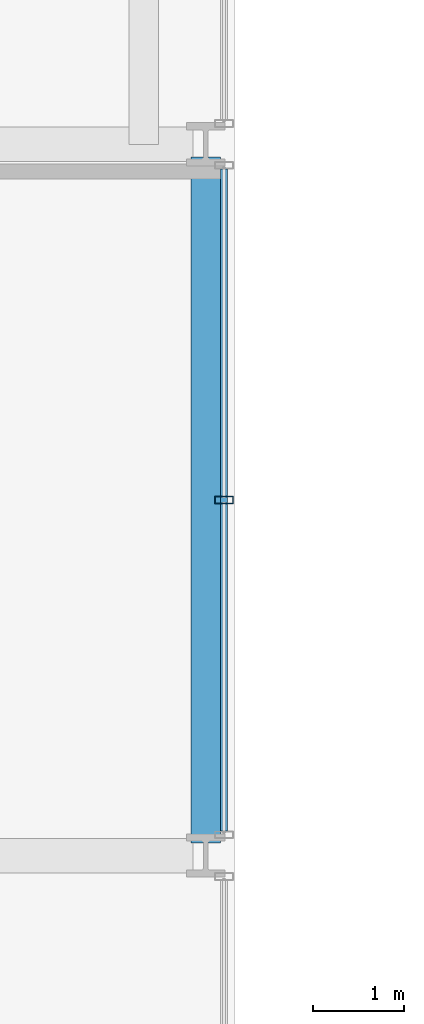
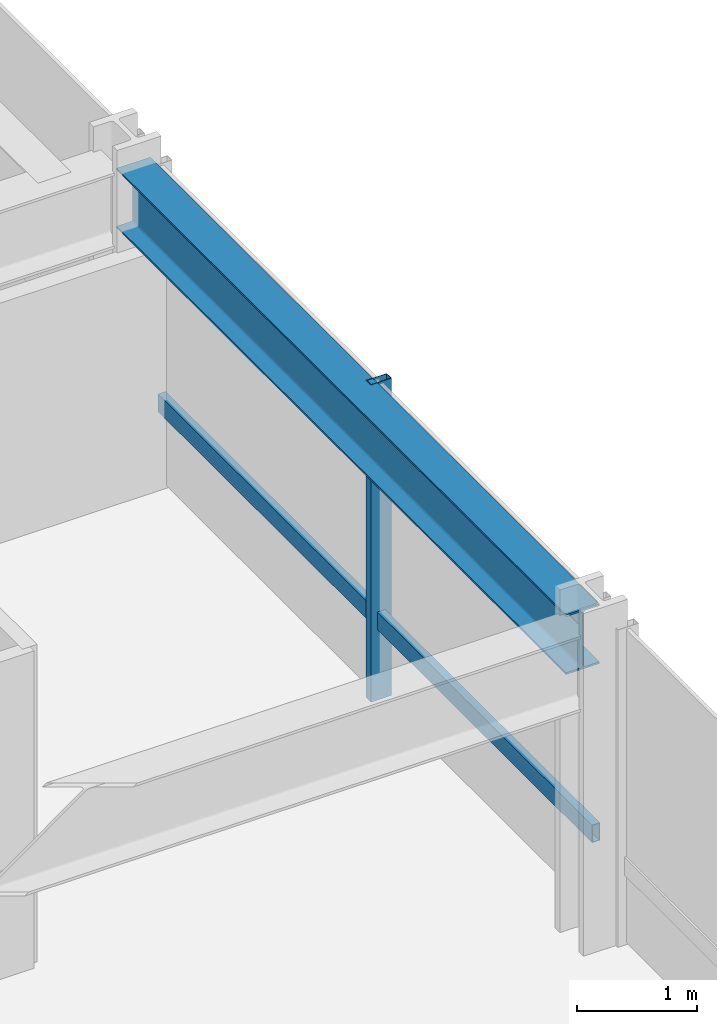
# One storey, part 14 of 38: 2 members, 1 beam, 1 element without a shape of its own.
"""IFC4 building model written with IfcOpenShell, lengths in metres."""

from ifc_helpers import new_model, si_unit, direction, frame, origin, origin_2d, place, context, subcontext, project, spatial, hollow_rectangle, i_section, extrude, material, layer, layer_set, material_profile, profile_set, type_object, element, aggregate, save


model = new_model("IFC4")

# Units and contexts
model_context = context("Model", 3, precision=1e-05, world=origin(), true_north=direction((0.0, 1.0)))
body_context = subcontext(model_context, "Body", "Model", "MODEL_VIEW")
ifc_project = project(units=[si_unit("LENGTHUNIT", "METRE"), si_unit("AREAUNIT", "SQUARE_METRE"), si_unit("VOLUMEUNIT", "CUBIC_METRE"), si_unit("PLANEANGLEUNIT", "RADIAN"), si_unit("MASSUNIT", "GRAM", prefix="KILO")], contexts=[model_context])

# Site, building, storey
site_placement = place(None, origin())
site = spatial("IfcSite", under=ifc_project, at=site_placement, CompositionType="ELEMENT")
building_placement = place(site_placement, origin())
building = spatial("IfcBuilding", under=site, at=building_placement, Name="Drelvath Grand Hotel", CompositionType="ELEMENT")
storey_placement = place(building_placement, frame((0.0, 0.0, 71.699951171875)))
storey = spatial("IfcBuildingStorey", under=building, at=storey_placement, Name="L17", CompositionType="ELEMENT", Elevation=71.699951171875)

# Curtain wall, members
ifc_material_1 = material(Name="Warm Bronze Anodised Aluminium Frame", Category="aluminium")
ifc_layer = layer(ifc_material_1, 0.199951171875)
ifc_layer_set = layer_set([ifc_layer], Name="Warm Bronze Anodised Aluminium Frame")
curtain_wall_type = type_object("IfcCurtainWallType", Name="Stick Curtain Wall CW-02 Warm Bronze Low-Rise", PredefinedType="NOTDEFINED", material=ifc_layer_set)
curtain_wall_placement = place(storey_placement, origin())
curtain_wall = element("IfcCurtainWall", 1, at=curtain_wall_placement, inside=storey, type_object=curtain_wall_type, Name="L17 CW-02 Curtain Wall CW02-L17-ES2", PredefinedType="NOTDEFINED")
ifc_material_profile_1 = material_profile(ifc_material_1, hollow_rectangle(XDim=0.074951171875, YDim=0.179931640625, WallThickness=0.0048828125, at=origin_2d()), Name="HSS180X75X5")
ifc_profile_set_1 = profile_set([ifc_material_profile_1], Name="Warm Bronze Anodised Aluminium Frame")
member_type_1 = type_object("IfcMemberType", Name="Curtain Wall Horizontal Transom CW-02 HSS180X75X5", PredefinedType="USERDEFINED", material=ifc_profile_set_1)
member_1_placement = place(storey_placement, frame((26.8798828125, 18.330810546875, 0.81005859375), z_axis=(0.0, -1.0, 0.0), x_axis=(1.0, 0.0, 0.0)))
member_1 = element("IfcMember", 2, at=member_1_placement, type_object=member_type_1, Name="CW02-L17-ES2 Sill Transom", ObjectType="TRANSOM", PredefinedType="USERDEFINED", context=body_context, shape_type="SweptSolid", body=[
    extrude(hollow_rectangle(XDim=0.074951171875, YDim=0.179931640625, WallThickness=0.0048828125, at=origin_2d()), origin(), (0.0, 0.0, 1.0), 7.26171875),
])
ifc_material_profile_2 = material_profile(ifc_material_1, hollow_rectangle(XDim=0.080078125, YDim=0.199951171875, WallThickness=0.0048828125, at=origin_2d()), Name="HSS200X80X5")
ifc_profile_set_2 = profile_set([ifc_material_profile_2], Name="Warm Bronze Anodised Aluminium Frame")
member_type_2 = type_object("IfcMemberType", Name="Curtain Wall Vertical Mullion CW-02 HSS200X80X5", PredefinedType="MULLION", material=ifc_profile_set_2)
member_2_placement = place(storey_placement, frame((26.8798828125, 14.699951171875, 0.0), z_axis=(0.0, 0.0, 1.0), x_axis=(0.0, 1.0, 0.0)))
member_2 = element("IfcMember", 3, at=member_2_placement, type_object=member_type_2, Name="CW02-L17-ES2 Mullion 2", PredefinedType="MULLION", context=body_context, shape_type="SweptSolid", body=[
    extrude(hollow_rectangle(XDim=0.080078125, YDim=0.199951171875, WallThickness=0.0048828125, at=origin_2d()), origin(), (0.0, 0.0, 1.0), 3.239990234375),
])
aggregate(curtain_wall, [member_2, member_1])

# Beam
ifc_material_2 = material(Name="Steel ASTM A992 Gr 50", Category="steel")
ifc_material_profile_3 = material_profile(ifc_material_2, i_section(OverallWidth=0.323974609375, OverallDepth=0.611083984375, WebThickness=0.0126953125, FlangeThickness=0.01904296875, FilletRadius=0.02197265625, at=origin_2d()), Name="W24X104")
ifc_profile_set_3 = profile_set([ifc_material_profile_3], Name="Steel ASTM A992 Gr 50")
beam_type = type_object("IfcBeamType", Name="Perimeter Spandrel Beam W24X104", PredefinedType="SPANDREL", material=ifc_profile_set_3)
beam_placement = place(storey_placement, frame((26.679931640625, 10.93994140625, 2.9345703125), z_axis=(0.0, 1.0, 0.0), x_axis=(-1.0, 0.0, 0.0)))
element("IfcBeam", 4, at=beam_placement, inside=storey, type_object=beam_type, Name="L17 Spandrel East S", PredefinedType="SPANDREL", context=body_context, shape_type="SweptSolid", body=[
    extrude(i_section(OverallWidth=0.323974609375, OverallDepth=0.611083984375, WebThickness=0.0126953125, FlangeThickness=0.01904296875, FilletRadius=0.02197265625, at=origin_2d()), origin(), (0.0, 0.0, 1.0), 7.52001953125),
])

save(model, "model.ifc")
